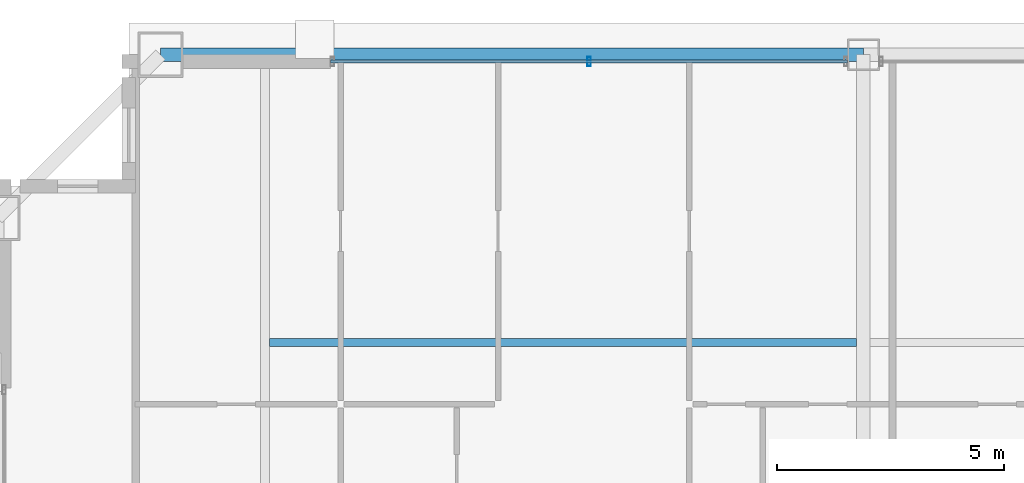
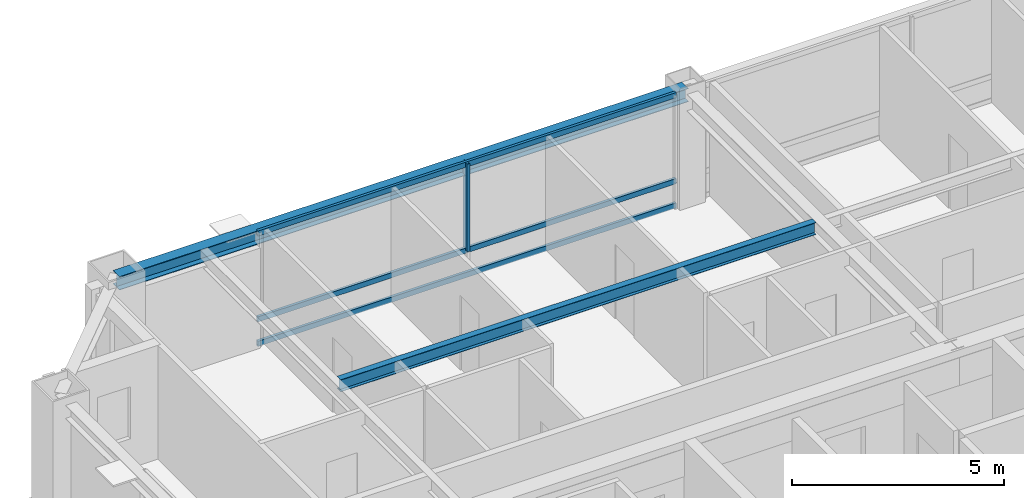
# One storey, part 17 of 35: 4 members, 2 beams, 1 element without a shape of its own.
"""IFC4 building model written with IfcOpenShell, lengths in metres."""

from ifc_helpers import new_model, si_unit, direction, frame, origin, origin_2d, place, context, subcontext, project, spatial, hollow_rectangle, i_section, extrude, source, transform, mapped, material, layer, layer_set, material_profile, profile_set, type_object, element, aggregate, save


model = new_model("IFC4")

# Units and contexts
model_context = context("Model", 3, precision=1e-05, world=origin(), true_north=direction((0.0, 1.0)))
body_context = subcontext(model_context, "Body", "Model", "MODEL_VIEW")
ifc_project = project(units=[si_unit("LENGTHUNIT", "METRE"), si_unit("AREAUNIT", "SQUARE_METRE"), si_unit("VOLUMEUNIT", "CUBIC_METRE"), si_unit("PLANEANGLEUNIT", "RADIAN"), si_unit("MASSUNIT", "GRAM", prefix="KILO"), si_unit("THERMODYNAMICTEMPERATUREUNIT", "KELVIN"), si_unit("POWERUNIT", "WATT")], contexts=[model_context])

# Site, building, storey
site_placement = place(None, origin())
site = spatial("IfcSite", under=ifc_project, at=site_placement, CompositionType="ELEMENT")
building_placement = place(site_placement, origin())
building = spatial("IfcBuilding", under=site, at=building_placement, Name="Yuzanri Waterfront Tower", CompositionType="ELEMENT")
storey_placement = place(building_placement, frame((0.0, 0.0, 289.10009765625)))
storey = spatial("IfcBuildingStorey", under=building, at=storey_placement, Name="L77", CompositionType="ELEMENT", Elevation=289.10009765625)

# Beams
ifc_material_1 = material(Name="Steel Q355B", Category="steel")
ifc_material_profile_1 = material_profile(ifc_material_1, i_section(OverallWidth=0.175048828125, OverallDepth=0.35009765625, WebThickness=0.007080078125, FlangeThickness=0.010986328125, at=origin_2d()), Name="HN 350x175x7x11")
ifc_profile_set_1 = profile_set([ifc_material_profile_1], Name="Steel Q355B")
beam_type_1 = type_object("IfcBeamType", Name="Floor Joist Q355B HN 350x175", PredefinedType="JOIST", material=ifc_profile_set_1)
shared_shape_1 = source(origin(), body_context, "Body", "SweptSolid", [
    extrude(i_section(OverallWidth=0.175048828125, OverallDepth=0.35009765625, WebThickness=0.007080078125, FlangeThickness=0.010986328125, at=origin_2d()), origin(), (0.0, 0.0, 1.0), 12.9501953125),
])
beam_1_placement = place(storey_placement, frame((23.89990234375, 38.550048828125, 3.10498046875), z_axis=(1.0, 0.0, 0.0), x_axis=(0.0, 1.0, 0.0)))
element("IfcBeam", 1, at=beam_1_placement, inside=storey, type_object=beam_type_1, Name="L77 North Bay Joist W", PredefinedType="JOIST", context=body_context, shape_type="MappedRepresentation", body=[
    mapped(shared_shape_1, transform((0.0, 0.0, 0.0), scale=1.0)),
])
ifc_material_2 = material(Name="Steel Q355B", Category="steel")
ifc_material_profile_2 = material_profile(ifc_material_2, i_section(OverallWidth=0.300048828125, OverallDepth=0.389892578125, WebThickness=0.010009765625, FlangeThickness=0.01611328125, at=origin_2d()), Name="HM 390x300x10x16")
ifc_profile_set_2 = profile_set([ifc_material_profile_2], Name="Steel Q355B")
beam_type_2 = type_object("IfcBeamType", Name="Perimeter Spandrel Q355B HM 390x300", PredefinedType="SPANDREL", material=ifc_profile_set_2)
shared_shape_2 = source(origin(), body_context, "Body", "SweptSolid", [
    extrude(i_section(OverallWidth=0.300048828125, OverallDepth=0.389892578125, WebThickness=0.010009765625, FlangeThickness=0.01611328125, at=origin_2d()), origin(), (0.0, 0.0, 1.0), 15.5),
])
beam_2_placement = place(storey_placement, frame((37.0, 44.89990234375, 3.0849609375), z_axis=(-1.0, 0.0, 0.0), x_axis=(0.0, -1.0, 0.0)))
element("IfcBeam", 2, at=beam_2_placement, inside=storey, type_object=beam_type_2, Name="L77 Perimeter Spandrel N2-N1", PredefinedType="SPANDREL", context=body_context, shape_type="MappedRepresentation", body=[
    mapped(shared_shape_2, transform((0.0, 0.0, 0.0), scale=1.0)),
])

# Curtain wall, members
ifc_material_3 = material(Name="Anodized Architectural Bronze", Category="metal")
ifc_layer = layer(ifc_material_3, 0.159912109375)
ifc_layer_set = layer_set([ifc_layer], Name="Anodized Architectural Bronze")
curtain_wall_type = type_object("IfcCurtainWallType", Name="Anodized Bronze High-Rise Penthouse High-Wind Unitized Curtain Wall 6900", PredefinedType="NOTDEFINED", material=ifc_layer_set)
curtain_wall_placement = place(storey_placement, origin())
curtain_wall = element("IfcCurtainWall", 3, at=curtain_wall_placement, inside=storey, type_object=curtain_wall_type, Name="L77 Curtain Wall CW-L77-NL", PredefinedType="NOTDEFINED")
ifc_material_4 = material(Name="Anodized Architectural Bronze", Category="metal")
ifc_material_profile_3 = material_profile(ifc_material_4, hollow_rectangle(XDim=0.074951171875, YDim=0.199951171875, WallThickness=0.00390625, at=origin_2d()), Name="CWM 75x200")
ifc_profile_set_3 = profile_set([ifc_material_profile_3], Name="Anodized Architectural Bronze")
member_type_1 = type_object("IfcMemberType", Name="Anodized Bronze Primary Curtain-Wall Mullion 75x200", PredefinedType="MULLION", material=ifc_profile_set_3)
shared_shape_3 = source(origin(), body_context, "Body", "SweptSolid", [
    extrude(hollow_rectangle(XDim=0.074951171875, YDim=0.199951171875, WallThickness=0.00390625, at=origin_2d()), origin(), (0.0, 0.0, 1.0), 2.52392578125),
])
member_1_placement = place(storey_placement, frame((30.949951171875, 44.75, 0.755859375), z_axis=(0.0, 0.0, 1.0), x_axis=(1.0, 0.0, 0.0)))
member_1 = element("IfcMember", 4, at=member_1_placement, type_object=member_type_1, Name="CW-L77-NL Upper Mullion 01", PredefinedType="MULLION", context=body_context, shape_type="MappedRepresentation", body=[
    mapped(shared_shape_3, transform((0.0, 0.0, 0.0), scale=1.0)),
])
ifc_material_5 = material(Name="Anodized Architectural Bronze", Category="metal")
ifc_material_profile_4 = material_profile(ifc_material_5, hollow_rectangle(XDim=0.074951171875, YDim=0.14990234375, WallThickness=0.00390625, at=origin_2d()), Name="CWT 75x150")
ifc_profile_set_4 = profile_set([ifc_material_profile_4], Name="Anodized Architectural Bronze")
member_type_2 = type_object("IfcMemberType", Name="Anodized Bronze Primary Curtain-Wall Transom 75x150", PredefinedType="USERDEFINED", material=ifc_profile_set_4)
shared_shape_4 = source(origin(), body_context, "Body", "SweptSolid", [
    extrude(hollow_rectangle(XDim=0.074951171875, YDim=0.14990234375, WallThickness=0.00390625, at=origin_2d()), origin(), (0.0, 0.0, 1.0), 11.39990234375),
])
member_2_placement = place(storey_placement, frame((25.25, 44.75, 0.0498046875), z_axis=(1.0, 0.0, 0.0), x_axis=(0.0, 1.0, 0.0)))
member_2 = element("IfcMember", 5, at=member_2_placement, type_object=member_type_2, Name="CW-L77-NL Transom 1", ObjectType="TRANSOM", PredefinedType="USERDEFINED", context=body_context, shape_type="MappedRepresentation", body=[
    mapped(shared_shape_4, transform((0.0, 0.0, 0.0), scale=1.0)),
])
member_3_placement = place(storey_placement, frame((25.25, 44.75, 0.75390625), z_axis=(1.0, 0.0, 0.0), x_axis=(0.0, 1.0, 0.0)))
member_3 = element("IfcMember", 6, at=member_3_placement, type_object=member_type_2, Name="CW-L77-NL Transom 2", ObjectType="TRANSOM", PredefinedType="USERDEFINED", context=body_context, shape_type="MappedRepresentation", body=[
    mapped(shared_shape_4, transform((0.0, 0.0, 0.0), scale=1.0)),
])
member_4_placement = place(storey_placement, frame((25.25, 44.75, 3.22998046875), z_axis=(1.0, 0.0, 0.0), x_axis=(0.0, 1.0, 0.0)))
member_4 = element("IfcMember", 7, at=member_4_placement, type_object=member_type_2, Name="CW-L77-NL Transom 3", ObjectType="TRANSOM", PredefinedType="USERDEFINED", context=body_context, shape_type="MappedRepresentation", body=[
    mapped(shared_shape_4, transform((0.0, 0.0, 0.0), scale=1.0)),
])
aggregate(curtain_wall, [member_1, member_2, member_3, member_4])

save(model, "model.ifc")
